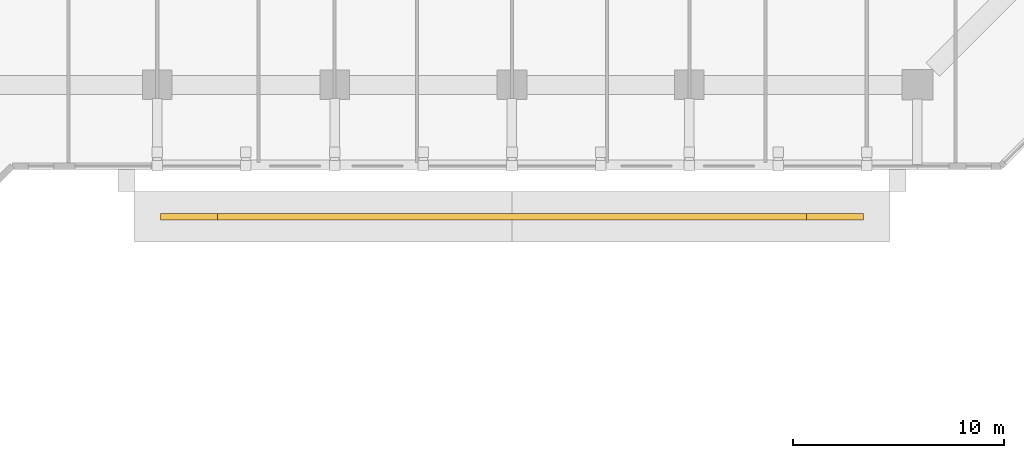
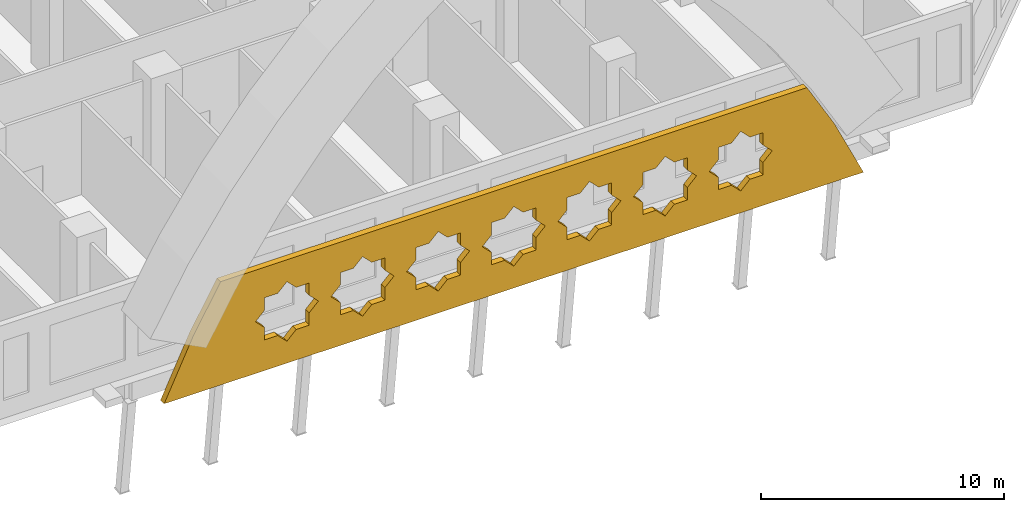
# One storey, part 22 of 25: 1 covering.
"""IFC4 building model written with IfcOpenShell, lengths in metres."""

from ifc_helpers import new_model, si_unit, direction, frame, origin, place, context, subcontext, project, spatial, polyline, outline, extrude, material, layer, layer_set, type_object, element, save


model = new_model("IFC4")

# Units and contexts
model_context = context("Model", 3, precision=1e-05, world=origin(), true_north=direction((0.0, 1.0)))
body_context = subcontext(model_context, "Body", "Model", "MODEL_VIEW")
ifc_project = project(units=[si_unit("LENGTHUNIT", "METRE"), si_unit("AREAUNIT", "SQUARE_METRE"), si_unit("VOLUMEUNIT", "CUBIC_METRE"), si_unit("PLANEANGLEUNIT", "RADIAN"), si_unit("MASSUNIT", "GRAM", prefix="KILO")], contexts=[model_context])

# Site, building, storey
site_placement = place(None, origin())
site = spatial("IfcSite", under=ifc_project, at=site_placement, CompositionType="ELEMENT")
building_placement = place(site_placement, origin())
building = spatial("IfcBuilding", under=site, at=building_placement, Name="Kawkab Arch Medical Tower", CompositionType="ELEMENT")
storey_placement = place(building_placement, frame((0.0, 0.0, 29.0)))
storey = spatial("IfcBuildingStorey", under=building, at=storey_placement, Name="L06", CompositionType="ELEMENT", Elevation=29.0)

# Covering
ifc_material = material(Name="Perforated bronze anodised aluminium, eight-point star pattern", Category="aluminium")
ifc_layer = layer(ifc_material, 0.300048828125)
ifc_layer_set = layer_set([ifc_layer], Name="Perforated bronze anodised aluminium, eight-point star pattern")
covering_type = type_object("IfcCoveringType", Name="Spandrel star screen 300", PredefinedType="USERDEFINED", material=ifc_layer_set)
covering_placement = place(storey_placement, frame((0.0, -39.699951171875, -29.0), z_axis=(0.0, -1.0, 0.0), x_axis=(1.0, 0.0, 0.0)))
element("IfcCovering", 1, at=covering_placement, inside=storey, type_object=covering_type, Name="Spandrel screen S 5.1", ObjectType="SCREEN", PredefinedType="USERDEFINED", context=body_context, shape_type="SweptSolid", body=[
    extrude(outline(polyline([(50.55859375, 29.0), (83.841552734375, 29.0), (82.446533203125, 31.95166015625), (81.154052734375, 34.199951171875), (53.24609375, 34.199951171875), (51.953369140625, 31.95166015625), (50.55859375, 29.0)]), holes=[polyline([(57.89990234375, 31.60009765625), (57.460693359375, 32.039306640625), (57.460693359375, 32.66064453125), (56.83935546875, 32.66064453125), (56.39990234375, 33.10009765625), (55.960693359375, 32.66064453125), (55.33935546875, 32.66064453125), (55.33935546875, 32.039306640625), (54.89990234375, 31.60009765625), (55.33935546875, 31.16064453125), (55.33935546875, 30.539306640625), (55.960693359375, 30.539306640625), (56.39990234375, 30.10009765625), (56.83935546875, 30.539306640625), (57.460693359375, 30.539306640625), (57.460693359375, 31.16064453125), (57.89990234375, 31.60009765625)]), polyline([(61.5, 31.60009765625), (61.060791015625, 32.039306640625), (61.060791015625, 32.66064453125), (60.439208984375, 32.66064453125), (60.0, 33.10009765625), (59.560791015625, 32.66064453125), (58.939208984375, 32.66064453125), (58.939208984375, 32.039306640625), (58.5, 31.60009765625), (58.939208984375, 31.16064453125), (58.939208984375, 30.539306640625), (59.560791015625, 30.539306640625), (60.0, 30.10009765625), (60.439208984375, 30.539306640625), (61.060791015625, 30.539306640625), (61.060791015625, 31.16064453125), (61.5, 31.60009765625)]), polyline([(65.10009765625, 31.60009765625), (64.66064453125, 32.039306640625), (64.66064453125, 32.66064453125), (64.039306640625, 32.66064453125), (63.60009765625, 33.10009765625), (63.16064453125, 32.66064453125), (62.539306640625, 32.66064453125), (62.539306640625, 32.039306640625), (62.10009765625, 31.60009765625), (62.539306640625, 31.16064453125), (62.539306640625, 30.539306640625), (63.16064453125, 30.539306640625), (63.60009765625, 30.10009765625), (64.039306640625, 30.539306640625), (64.66064453125, 30.539306640625), (64.66064453125, 31.16064453125), (65.10009765625, 31.60009765625)]), polyline([(68.699951171875, 31.60009765625), (68.2607421875, 32.039306640625), (68.2607421875, 32.66064453125), (67.639404296875, 32.66064453125), (67.199951171875, 33.10009765625), (66.7607421875, 32.66064453125), (66.139404296875, 32.66064453125), (66.139404296875, 32.039306640625), (65.699951171875, 31.60009765625), (66.139404296875, 31.16064453125), (66.139404296875, 30.539306640625), (66.7607421875, 30.539306640625), (67.199951171875, 30.10009765625), (67.639404296875, 30.539306640625), (68.2607421875, 30.539306640625), (68.2607421875, 31.16064453125), (68.699951171875, 31.60009765625)]), polyline([(72.300048828125, 31.60009765625), (71.860595703125, 32.039306640625), (71.860595703125, 32.66064453125), (71.2392578125, 32.66064453125), (70.800048828125, 33.10009765625), (70.360595703125, 32.66064453125), (69.7392578125, 32.66064453125), (69.7392578125, 32.039306640625), (69.300048828125, 31.60009765625), (69.7392578125, 31.16064453125), (69.7392578125, 30.539306640625), (70.360595703125, 30.539306640625), (70.800048828125, 30.10009765625), (71.2392578125, 30.539306640625), (71.860595703125, 30.539306640625), (71.860595703125, 31.16064453125), (72.300048828125, 31.60009765625)]), polyline([(75.89990234375, 31.60009765625), (75.460693359375, 32.039306640625), (75.460693359375, 32.66064453125), (74.83935546875, 32.66064453125), (74.39990234375, 33.10009765625), (73.960693359375, 32.66064453125), (73.33935546875, 32.66064453125), (73.33935546875, 32.039306640625), (72.89990234375, 31.60009765625), (73.33935546875, 31.16064453125), (73.33935546875, 30.539306640625), (73.960693359375, 30.539306640625), (74.39990234375, 30.10009765625), (74.83935546875, 30.539306640625), (75.460693359375, 30.539306640625), (75.460693359375, 31.16064453125), (75.89990234375, 31.60009765625)]), polyline([(79.5, 31.60009765625), (79.060791015625, 32.039306640625), (79.060791015625, 32.66064453125), (78.439208984375, 32.66064453125), (78.0, 33.10009765625), (77.560791015625, 32.66064453125), (76.939208984375, 32.66064453125), (76.939208984375, 32.039306640625), (76.5, 31.60009765625), (76.939208984375, 31.16064453125), (76.939208984375, 30.539306640625), (77.560791015625, 30.539306640625), (78.0, 30.10009765625), (78.439208984375, 30.539306640625), (79.060791015625, 30.539306640625), (79.060791015625, 31.16064453125), (79.5, 31.60009765625)])]), origin(), (0.0, 0.0, 1.0), 0.300048828125),
])

save(model, "model.ifc")
